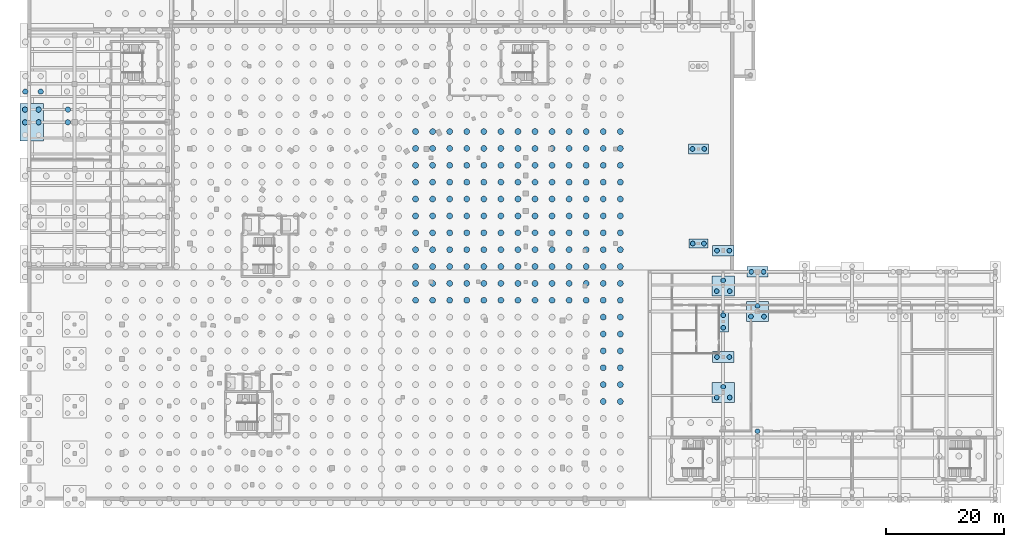
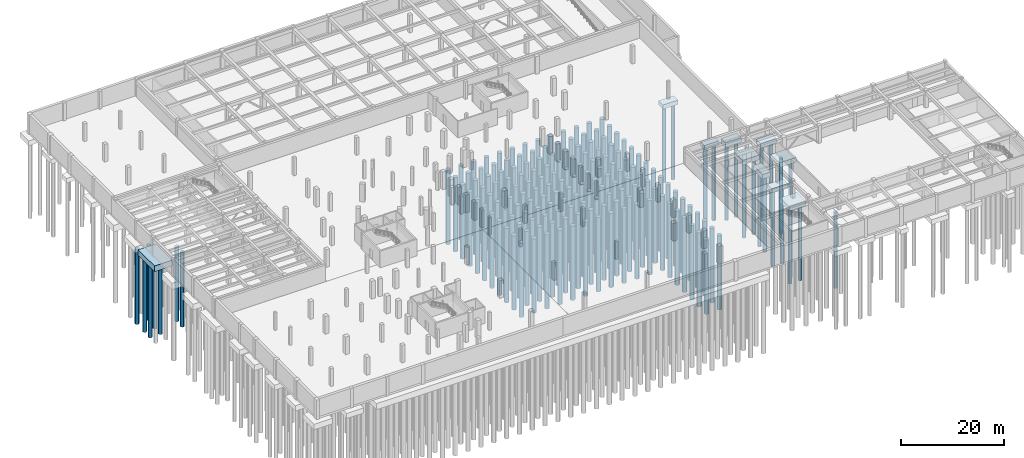
# One storey, part 4 of 36: 185 piles, 10 footings.
"""IFC4 building model written with IfcOpenShell, lengths in metres."""

from ifc_helpers import new_model, si_unit, direction, frame, origin, origin_2d, place, context, subcontext, project, spatial, rectangle, circle, extrude, material, material_profile, profile_set, type_object, element, save


model = new_model("IFC4")

# Units and contexts
model_context = context("Model", 3, precision=1e-05, world=origin(), true_north=direction((0.0, 1.0)))
body_context = subcontext(model_context, "Body", "Model", "MODEL_VIEW")
ifc_project = project(units=[si_unit("LENGTHUNIT", "METRE"), si_unit("AREAUNIT", "SQUARE_METRE"), si_unit("VOLUMEUNIT", "CUBIC_METRE"), si_unit("PLANEANGLEUNIT", "RADIAN"), si_unit("MASSUNIT", "GRAM", prefix="KILO"), si_unit("THERMODYNAMICTEMPERATUREUNIT", "KELVIN"), si_unit("POWERUNIT", "WATT")], contexts=[model_context])

# Site, building, storey
site_placement = place(None, origin())
site = spatial("IfcSite", under=ifc_project, at=site_placement, CompositionType="ELEMENT")
building_placement = place(site_placement, origin())
building = spatial("IfcBuilding", under=site, at=building_placement, Name="Solvatero Civic Police Headquarters", CompositionType="ELEMENT")
storey_placement = place(building_placement, frame((0.0, 0.0, -8.39990234375)))
storey = spatial("IfcBuildingStorey", under=building, at=storey_placement, Name="B02", CompositionType="ELEMENT", Elevation=-8.39990234375)

# Footings
ifc_material_1 = material(Name="Concrete C35/45", Category="concrete")
footing_type_1 = type_object("IfcFootingType", Name="PC-2P-180x360x110", PredefinedType="PILE_CAP", material=ifc_material_1)
footing_1_placement = place(storey_placement, frame((122.199951171875, 34.800048828125, -1.5400390625), z_axis=(0.0, 0.0, 1.0), x_axis=(1.0, 0.0, 0.0)))
element("IfcFooting", 1, at=footing_1_placement, inside=storey, type_object=footing_type_1, Name="Pile Cap FTG-R2-V1-E-F6", PredefinedType="PILE_CAP", context=body_context, shape_type="SweptSolid", body=[
    extrude(rectangle(XDim=1.800048828125, YDim=3.60009765625, at=origin_2d()), origin(), (0.0, 0.0, 1.0), 1.10009765625),
])
footing_type_2 = type_object("IfcFootingType", Name="PC-2P-320x160x100", PredefinedType="PILE_CAP", material=ifc_material_1)
footing_2_placement = place(storey_placement, frame((118.0, 48.0, -1.440185546875), z_axis=(0.0, 0.0, 1.0), x_axis=(1.0, 0.0, 0.0)))
element("IfcFooting", 2, at=footing_2_placement, inside=storey, type_object=footing_type_2, Name="Pile Cap FTG-R2-BSUB-M-X7Y1", PredefinedType="PILE_CAP", context=body_context, shape_type="SweptSolid", body=[
    extrude(rectangle(XDim=3.199951171875, YDim=1.60009765625, at=origin_2d()), origin(), (0.0, 0.0, 1.0), 1.0),
])
footing_type_3 = type_object("IfcFootingType", Name="PC-2P-340x170x105", PredefinedType="PILE_CAP", material=ifc_material_1)
footing_3_placement = place(storey_placement, frame((118.0, 64.0, -1.490234375), z_axis=(0.0, 0.0, 1.0), x_axis=(1.0, 0.0, 0.0)))
element("IfcFooting", 3, at=footing_3_placement, inside=storey, type_object=footing_type_3, Name="Pile Cap FTG-R2-BSUB-M-X7Y2", PredefinedType="PILE_CAP", context=body_context, shape_type="SweptSolid", body=[
    extrude(rectangle(XDim=3.39990234375, YDim=1.699951171875, at=origin_2d()), origin(), (0.0, 0.0, 1.0), 1.050048828125),
])
footing_type_4 = type_object("IfcFootingType", Name="PC-2P-360x180x110", PredefinedType="PILE_CAP", material=ifc_material_1)
for number, where, z_axis, x_axis, name in (
    (4, (122.199951171875, 28.800048828125, -1.5400390625), (0.0, 0.0, 1.0), (1.0, 0.0, 0.0), "Pile Cap FTG-R2-V1-E-F5"),
    (5, (122.199951171875, 46.800048828125, -1.5400390625), (0.0, 0.0, 1.0), (1.0, 0.0, 0.0), "Pile Cap FTG-R2-V1-E-F8"),
    (6, (128.0, 43.199951171875, -1.5400390625), (0.0, 0.0, 1.0), (1.0, 0.0, 0.0), "Pile Cap FTG-R2-V3-X1Y4"),
):
    element("IfcFooting", number, at=place(storey_placement, frame(where, z_axis=z_axis, x_axis=x_axis)), inside=storey, type_object=footing_type_4, Name=name, PredefinedType="PILE_CAP", context=body_context, shape_type="SweptSolid", body=[
        extrude(rectangle(XDim=3.60009765625, YDim=1.800048828125, at=origin_2d()), origin(), (0.0, 0.0, 1.0), 1.10009765625),
    ])
footing_type_5 = type_object("IfcFootingType", Name="PC-3P-380x340x115", PredefinedType="PILE_CAP", material=ifc_material_1)
for number, where, z_axis, x_axis, name in (
    (7, (122.199951171875, 22.800048828125, -1.590087890625), (0.0, 0.0, 1.0), (1.0, 0.0, 0.0), "Pile Cap FTG-R2-V1-E-F4"),
    (8, (122.199951171875, 40.800048828125, -1.590087890625), (0.0, 0.0, 1.0), (1.0, 0.0, 0.0), "Pile Cap FTG-R2-V1-E-F7"),
    (9, (128.0, 36.5, -1.590087890625), (0.0, 0.0, 1.0), (1.0, 0.0, 0.0), "Pile Cap FTG-R2-V3-X1Y3"),
):
    element("IfcFooting", number, at=place(storey_placement, frame(where, z_axis=z_axis, x_axis=x_axis)), inside=storey, type_object=footing_type_5, Name=name, PredefinedType="PILE_CAP", context=body_context, shape_type="SweptSolid", body=[
        extrude(rectangle(XDim=3.800048828125, YDim=3.39990234375, at=origin_2d()), origin(), (0.0, 0.0, 1.0), 1.14990234375),
    ])
footing_type_6 = type_object("IfcFootingType", Name="PC-6P-400x640x140", PredefinedType="PILE_CAP", material=ifc_material_1)
footing_4_placement = place(storey_placement, frame((5.25, 68.5, -1.840087890625), z_axis=(0.0, 0.0, 1.0), x_axis=(1.0, 0.0, 0.0)))
element("IfcFooting", 10, at=footing_4_placement, inside=storey, type_object=footing_type_6, Name="Pile Cap FTG-R2-V6-X1Y4", PredefinedType="PILE_CAP", context=body_context, shape_type="SweptSolid", body=[
    extrude(rectangle(XDim=4.0, YDim=6.39990234375, at=origin_2d()), origin(), (0.0, 0.0, 1.0), 1.39990234375),
])

# Piles
ifc_material_2 = material(Name="Concrete C32/40", Category="concrete")
ifc_material_profile_1 = material_profile(ifc_material_2, circle(Radius=0.5, at=origin_2d()), Name="CFA PILE D1000")
ifc_profile_set_1 = profile_set([ifc_material_profile_1], Name="Concrete C32/40")
pile_type_1 = type_object("IfcPileType", Name="PL-CFA-1000", PredefinedType="BORED", material=ifc_profile_set_1)
for number, where, z_axis, x_axis, name in (
    (11, (70.159912109375, 38.397705078125, -1.7900390625), (0.0, 0.0, -1.0), (1.0, 0.0, 0.0), "Bored Pile ARC-S00-IN-553"),
    (12, (70.159912109375, 41.25146484375, -1.7900390625), (0.0, 0.0, -1.0), (1.0, 0.0, 0.0), "Bored Pile ARC-S00-IN-554"),
    (13, (70.159912109375, 44.105224609375, -1.7900390625), (0.0, 0.0, -1.0), (1.0, 0.0, 0.0), "Bored Pile ARC-S00-IN-555"),
    (14, (70.159912109375, 46.958984375, -1.7900390625), (0.0, 0.0, -1.0), (1.0, 0.0, 0.0), "Bored Pile ARC-S00-IN-556"),
    (15, (70.159912109375, 49.81298828125, -1.7900390625), (0.0, 0.0, -1.0), (1.0, 0.0, 0.0), "Bored Pile ARC-S00-IN-557"),
    (16, (70.159912109375, 52.666748046875, -1.7900390625), (0.0, 0.0, -1.0), (1.0, 0.0, 0.0), "Bored Pile ARC-S00-IN-558"),
    (17, (70.159912109375, 55.5205078125, -1.7900390625), (0.0, 0.0, -1.0), (1.0, 0.0, 0.0), "Bored Pile ARC-S00-IN-559"),
    (18, (70.159912109375, 58.374267578125, -1.7900390625), (0.0, 0.0, -1.0), (1.0, 0.0, 0.0), "Bored Pile ARC-S00-IN-560"),
    (19, (70.159912109375, 61.22802734375, -1.7900390625), (0.0, 0.0, -1.0), (1.0, 0.0, 0.0), "Bored Pile ARC-S00-IN-561"),
    (20, (70.159912109375, 64.081787109375, -1.7900390625), (0.0, 0.0, -1.0), (1.0, 0.0, 0.0), "Bored Pile ARC-S00-IN-562"),
    (21, (70.159912109375, 66.935546875, -1.7900390625), (0.0, 0.0, -1.0), (1.0, 0.0, 0.0), "Bored Pile ARC-S00-IN-563"),
    (22, (73.046630859375, 38.397705078125, -1.7900390625), (0.0, 0.0, -1.0), (1.0, 0.0, 0.0), "Bored Pile ARC-S00-IN-583"),
    (23, (73.046630859375, 41.25146484375, -1.7900390625), (0.0, 0.0, -1.0), (1.0, 0.0, 0.0), "Bored Pile ARC-S00-IN-584"),
    (24, (73.046630859375, 44.105224609375, -1.7900390625), (0.0, 0.0, -1.0), (1.0, 0.0, 0.0), "Bored Pile ARC-S00-IN-585"),
    (25, (73.046630859375, 46.958984375, -1.7900390625), (0.0, 0.0, -1.0), (1.0, 0.0, 0.0), "Bored Pile ARC-S00-IN-586"),
    (26, (73.046630859375, 49.81298828125, -1.7900390625), (0.0, 0.0, -1.0), (1.0, 0.0, 0.0), "Bored Pile ARC-S00-IN-587"),
    (27, (73.046630859375, 52.666748046875, -1.7900390625), (0.0, 0.0, -1.0), (1.0, 0.0, 0.0), "Bored Pile ARC-S00-IN-588"),
    (28, (73.046630859375, 55.5205078125, -1.7900390625), (0.0, 0.0, -1.0), (1.0, 0.0, 0.0), "Bored Pile ARC-S00-IN-589"),
    (29, (73.046630859375, 58.374267578125, -1.7900390625), (0.0, 0.0, -1.0), (1.0, 0.0, 0.0), "Bored Pile ARC-S00-IN-590"),
    (30, (73.046630859375, 61.22802734375, -1.7900390625), (0.0, 0.0, -1.0), (1.0, 0.0, 0.0), "Bored Pile ARC-S00-IN-591"),
    (31, (73.046630859375, 64.081787109375, -1.7900390625), (0.0, 0.0, -1.0), (1.0, 0.0, 0.0), "Bored Pile ARC-S00-IN-592"),
    (32, (73.046630859375, 66.935546875, -1.7900390625), (0.0, 0.0, -1.0), (1.0, 0.0, 0.0), "Bored Pile ARC-S00-IN-593"),
    (33, (75.933349609375, 38.397705078125, -1.7900390625), (0.0, 0.0, -1.0), (1.0, 0.0, 0.0), "Bored Pile ARC-S00-IN-613"),
    (34, (75.933349609375, 41.25146484375, -1.7900390625), (0.0, 0.0, -1.0), (1.0, 0.0, 0.0), "Bored Pile ARC-S00-IN-614"),
    (35, (75.933349609375, 44.105224609375, -1.7900390625), (0.0, 0.0, -1.0), (1.0, 0.0, 0.0), "Bored Pile ARC-S00-IN-615"),
    (36, (75.933349609375, 46.958984375, -1.7900390625), (0.0, 0.0, -1.0), (1.0, 0.0, 0.0), "Bored Pile ARC-S00-IN-616"),
    (37, (75.933349609375, 49.81298828125, -1.7900390625), (0.0, 0.0, -1.0), (1.0, 0.0, 0.0), "Bored Pile ARC-S00-IN-617"),
    (38, (75.933349609375, 52.666748046875, -1.7900390625), (0.0, 0.0, -1.0), (1.0, 0.0, 0.0), "Bored Pile ARC-S00-IN-618"),
    (39, (75.933349609375, 55.5205078125, -1.7900390625), (0.0, 0.0, -1.0), (1.0, 0.0, 0.0), "Bored Pile ARC-S00-IN-619"),
    (40, (75.933349609375, 58.374267578125, -1.7900390625), (0.0, 0.0, -1.0), (1.0, 0.0, 0.0), "Bored Pile ARC-S00-IN-620"),
    (41, (75.933349609375, 61.22802734375, -1.7900390625), (0.0, 0.0, -1.0), (1.0, 0.0, 0.0), "Bored Pile ARC-S00-IN-621"),
    (42, (75.933349609375, 64.081787109375, -1.7900390625), (0.0, 0.0, -1.0), (1.0, 0.0, 0.0), "Bored Pile ARC-S00-IN-622"),
    (43, (75.933349609375, 66.935546875, -1.7900390625), (0.0, 0.0, -1.0), (1.0, 0.0, 0.0), "Bored Pile ARC-S00-IN-623"),
    (44, (78.820068359375, 38.397705078125, -1.7900390625), (0.0, 0.0, -1.0), (1.0, 0.0, 0.0), "Bored Pile ARC-S00-IN-643"),
    (45, (78.820068359375, 41.25146484375, -1.7900390625), (0.0, 0.0, -1.0), (1.0, 0.0, 0.0), "Bored Pile ARC-S00-IN-644"),
    (46, (78.820068359375, 44.105224609375, -1.7900390625), (0.0, 0.0, -1.0), (1.0, 0.0, 0.0), "Bored Pile ARC-S00-IN-645"),
    (47, (78.820068359375, 46.958984375, -1.7900390625), (0.0, 0.0, -1.0), (1.0, 0.0, 0.0), "Bored Pile ARC-S00-IN-646"),
    (48, (78.820068359375, 49.81298828125, -1.7900390625), (0.0, 0.0, -1.0), (1.0, 0.0, 0.0), "Bored Pile ARC-S00-IN-647"),
    (49, (78.820068359375, 52.666748046875, -1.7900390625), (0.0, 0.0, -1.0), (1.0, 0.0, 0.0), "Bored Pile ARC-S00-IN-648"),
    (50, (78.820068359375, 55.5205078125, -1.7900390625), (0.0, 0.0, -1.0), (1.0, 0.0, 0.0), "Bored Pile ARC-S00-IN-649"),
    (51, (78.820068359375, 58.374267578125, -1.7900390625), (0.0, 0.0, -1.0), (1.0, 0.0, 0.0), "Bored Pile ARC-S00-IN-650"),
    (52, (78.820068359375, 61.22802734375, -1.7900390625), (0.0, 0.0, -1.0), (1.0, 0.0, 0.0), "Bored Pile ARC-S00-IN-651"),
    (53, (78.820068359375, 64.081787109375, -1.7900390625), (0.0, 0.0, -1.0), (1.0, 0.0, 0.0), "Bored Pile ARC-S00-IN-652"),
    (54, (78.820068359375, 66.935546875, -1.7900390625), (0.0, 0.0, -1.0), (1.0, 0.0, 0.0), "Bored Pile ARC-S00-IN-653"),
    (55, (81.706787109375, 38.397705078125, -1.7900390625), (0.0, 0.0, -1.0), (1.0, 0.0, 0.0), "Bored Pile ARC-S00-IN-673"),
    (56, (81.706787109375, 41.25146484375, -1.7900390625), (0.0, 0.0, -1.0), (1.0, 0.0, 0.0), "Bored Pile ARC-S00-IN-674"),
    (57, (81.706787109375, 44.105224609375, -1.7900390625), (0.0, 0.0, -1.0), (1.0, 0.0, 0.0), "Bored Pile ARC-S00-IN-675"),
    (58, (81.706787109375, 46.958984375, -1.7900390625), (0.0, 0.0, -1.0), (1.0, 0.0, 0.0), "Bored Pile ARC-S00-IN-676"),
    (59, (81.706787109375, 49.81298828125, -1.7900390625), (0.0, 0.0, -1.0), (1.0, 0.0, 0.0), "Bored Pile ARC-S00-IN-677"),
    (60, (81.706787109375, 52.666748046875, -1.7900390625), (0.0, 0.0, -1.0), (1.0, 0.0, 0.0), "Bored Pile ARC-S00-IN-678"),
    (61, (81.706787109375, 55.5205078125, -1.7900390625), (0.0, 0.0, -1.0), (1.0, 0.0, 0.0), "Bored Pile ARC-S00-IN-679"),
    (62, (81.706787109375, 58.374267578125, -1.7900390625), (0.0, 0.0, -1.0), (1.0, 0.0, 0.0), "Bored Pile ARC-S00-IN-680"),
    (63, (81.706787109375, 61.22802734375, -1.7900390625), (0.0, 0.0, -1.0), (1.0, 0.0, 0.0), "Bored Pile ARC-S00-IN-681"),
    (64, (81.706787109375, 64.081787109375, -1.7900390625), (0.0, 0.0, -1.0), (1.0, 0.0, 0.0), "Bored Pile ARC-S00-IN-682"),
    (65, (81.706787109375, 66.935546875, -1.7900390625), (0.0, 0.0, -1.0), (1.0, 0.0, 0.0), "Bored Pile ARC-S00-IN-683"),
    (66, (84.59326171875, 38.397705078125, -1.7900390625), (0.0, 0.0, -1.0), (1.0, 0.0, 0.0), "Bored Pile ARC-S00-IN-703"),
    (67, (84.59326171875, 41.25146484375, -1.7900390625), (0.0, 0.0, -1.0), (1.0, 0.0, 0.0), "Bored Pile ARC-S00-IN-704"),
    (68, (84.59326171875, 44.105224609375, -1.7900390625), (0.0, 0.0, -1.0), (1.0, 0.0, 0.0), "Bored Pile ARC-S00-IN-705"),
    (69, (84.59326171875, 46.958984375, -1.7900390625), (0.0, 0.0, -1.0), (1.0, 0.0, 0.0), "Bored Pile ARC-S00-IN-706"),
    (70, (84.59326171875, 49.81298828125, -1.7900390625), (0.0, 0.0, -1.0), (1.0, 0.0, 0.0), "Bored Pile ARC-S00-IN-707"),
    (71, (84.59326171875, 52.666748046875, -1.7900390625), (0.0, 0.0, -1.0), (1.0, 0.0, 0.0), "Bored Pile ARC-S00-IN-708"),
    (72, (84.59326171875, 55.5205078125, -1.7900390625), (0.0, 0.0, -1.0), (1.0, 0.0, 0.0), "Bored Pile ARC-S00-IN-709"),
    (73, (84.59326171875, 58.374267578125, -1.7900390625), (0.0, 0.0, -1.0), (1.0, 0.0, 0.0), "Bored Pile ARC-S00-IN-710"),
    (74, (84.59326171875, 61.22802734375, -1.7900390625), (0.0, 0.0, -1.0), (1.0, 0.0, 0.0), "Bored Pile ARC-S00-IN-711"),
    (75, (84.59326171875, 64.081787109375, -1.7900390625), (0.0, 0.0, -1.0), (1.0, 0.0, 0.0), "Bored Pile ARC-S00-IN-712"),
    (76, (84.59326171875, 66.935546875, -1.7900390625), (0.0, 0.0, -1.0), (1.0, 0.0, 0.0), "Bored Pile ARC-S00-IN-713"),
    (77, (87.47998046875, 38.397705078125, -1.7900390625), (0.0, 0.0, -1.0), (1.0, 0.0, 0.0), "Bored Pile ARC-S00-IN-733"),
    (78, (87.47998046875, 41.25146484375, -1.7900390625), (0.0, 0.0, -1.0), (1.0, 0.0, 0.0), "Bored Pile ARC-S00-IN-734"),
    (79, (87.47998046875, 44.105224609375, -1.7900390625), (0.0, 0.0, -1.0), (1.0, 0.0, 0.0), "Bored Pile ARC-S00-IN-735"),
    (80, (87.47998046875, 46.958984375, -1.7900390625), (0.0, 0.0, -1.0), (1.0, 0.0, 0.0), "Bored Pile ARC-S00-IN-736"),
    (81, (87.47998046875, 49.81298828125, -1.7900390625), (0.0, 0.0, -1.0), (1.0, 0.0, 0.0), "Bored Pile ARC-S00-IN-737"),
    (82, (87.47998046875, 52.666748046875, -1.7900390625), (0.0, 0.0, -1.0), (1.0, 0.0, 0.0), "Bored Pile ARC-S00-IN-738"),
    (83, (87.47998046875, 55.5205078125, -1.7900390625), (0.0, 0.0, -1.0), (1.0, 0.0, 0.0), "Bored Pile ARC-S00-IN-739"),
    (84, (87.47998046875, 58.374267578125, -1.7900390625), (0.0, 0.0, -1.0), (1.0, 0.0, 0.0), "Bored Pile ARC-S00-IN-740"),
    (85, (87.47998046875, 61.22802734375, -1.7900390625), (0.0, 0.0, -1.0), (1.0, 0.0, 0.0), "Bored Pile ARC-S00-IN-741"),
    (86, (87.47998046875, 64.081787109375, -1.7900390625), (0.0, 0.0, -1.0), (1.0, 0.0, 0.0), "Bored Pile ARC-S00-IN-742"),
    (87, (87.47998046875, 66.935546875, -1.7900390625), (0.0, 0.0, -1.0), (1.0, 0.0, 0.0), "Bored Pile ARC-S00-IN-743"),
    (88, (90.36669921875, 38.397705078125, -1.7900390625), (0.0, 0.0, -1.0), (1.0, 0.0, 0.0), "Bored Pile ARC-S00-IN-763"),
    (89, (90.36669921875, 41.25146484375, -1.7900390625), (0.0, 0.0, -1.0), (1.0, 0.0, 0.0), "Bored Pile ARC-S00-IN-764"),
    (90, (90.36669921875, 44.105224609375, -1.7900390625), (0.0, 0.0, -1.0), (1.0, 0.0, 0.0), "Bored Pile ARC-S00-IN-765"),
    (91, (90.36669921875, 46.958984375, -1.7900390625), (0.0, 0.0, -1.0), (1.0, 0.0, 0.0), "Bored Pile ARC-S00-IN-766"),
    (92, (90.36669921875, 49.81298828125, -1.7900390625), (0.0, 0.0, -1.0), (1.0, 0.0, 0.0), "Bored Pile ARC-S00-IN-767"),
    (93, (90.36669921875, 52.666748046875, -1.7900390625), (0.0, 0.0, -1.0), (1.0, 0.0, 0.0), "Bored Pile ARC-S00-IN-768"),
    (94, (90.36669921875, 55.5205078125, -1.7900390625), (0.0, 0.0, -1.0), (1.0, 0.0, 0.0), "Bored Pile ARC-S00-IN-769"),
    (95, (90.36669921875, 58.374267578125, -1.7900390625), (0.0, 0.0, -1.0), (1.0, 0.0, 0.0), "Bored Pile ARC-S00-IN-770"),
    (96, (90.36669921875, 61.22802734375, -1.7900390625), (0.0, 0.0, -1.0), (1.0, 0.0, 0.0), "Bored Pile ARC-S00-IN-771"),
    (97, (90.36669921875, 64.081787109375, -1.7900390625), (0.0, 0.0, -1.0), (1.0, 0.0, 0.0), "Bored Pile ARC-S00-IN-772"),
    (98, (90.36669921875, 66.935546875, -1.7900390625), (0.0, 0.0, -1.0), (1.0, 0.0, 0.0), "Bored Pile ARC-S00-IN-773"),
    (99, (93.25341796875, 38.397705078125, -1.7900390625), (0.0, 0.0, -1.0), (1.0, 0.0, 0.0), "Bored Pile ARC-S00-IN-793"),
    (100, (93.25341796875, 41.25146484375, -1.7900390625), (0.0, 0.0, -1.0), (1.0, 0.0, 0.0), "Bored Pile ARC-S00-IN-794"),
    (101, (93.25341796875, 44.105224609375, -1.7900390625), (0.0, 0.0, -1.0), (1.0, 0.0, 0.0), "Bored Pile ARC-S00-IN-795"),
    (102, (93.25341796875, 46.958984375, -1.7900390625), (0.0, 0.0, -1.0), (1.0, 0.0, 0.0), "Bored Pile ARC-S00-IN-796"),
    (103, (93.25341796875, 49.81298828125, -1.7900390625), (0.0, 0.0, -1.0), (1.0, 0.0, 0.0), "Bored Pile ARC-S00-IN-797"),
    (104, (93.25341796875, 52.666748046875, -1.7900390625), (0.0, 0.0, -1.0), (1.0, 0.0, 0.0), "Bored Pile ARC-S00-IN-798"),
    (105, (93.25341796875, 55.5205078125, -1.7900390625), (0.0, 0.0, -1.0), (1.0, 0.0, 0.0), "Bored Pile ARC-S00-IN-799"),
    (106, (93.25341796875, 58.374267578125, -1.7900390625), (0.0, 0.0, -1.0), (1.0, 0.0, 0.0), "Bored Pile ARC-S00-IN-800"),
    (107, (93.25341796875, 61.22802734375, -1.7900390625), (0.0, 0.0, -1.0), (1.0, 0.0, 0.0), "Bored Pile ARC-S00-IN-801"),
    (108, (93.25341796875, 64.081787109375, -1.7900390625), (0.0, 0.0, -1.0), (1.0, 0.0, 0.0), "Bored Pile ARC-S00-IN-802"),
    (109, (93.25341796875, 66.935546875, -1.7900390625), (0.0, 0.0, -1.0), (1.0, 0.0, 0.0), "Bored Pile ARC-S00-IN-803"),
    (110, (96.139892578125, 38.397705078125, -1.7900390625), (0.0, 0.0, -1.0), (1.0, 0.0, 0.0), "Bored Pile ARC-S00-IN-823"),
    (111, (96.139892578125, 41.25146484375, -1.7900390625), (0.0, 0.0, -1.0), (1.0, 0.0, 0.0), "Bored Pile ARC-S00-IN-824"),
    (112, (96.139892578125, 44.105224609375, -1.7900390625), (0.0, 0.0, -1.0), (1.0, 0.0, 0.0), "Bored Pile ARC-S00-IN-825"),
    (113, (96.139892578125, 46.958984375, -1.7900390625), (0.0, 0.0, -1.0), (1.0, 0.0, 0.0), "Bored Pile ARC-S00-IN-826"),
    (114, (96.139892578125, 49.81298828125, -1.7900390625), (0.0, 0.0, -1.0), (1.0, 0.0, 0.0), "Bored Pile ARC-S00-IN-827"),
    (115, (96.139892578125, 52.666748046875, -1.7900390625), (0.0, 0.0, -1.0), (1.0, 0.0, 0.0), "Bored Pile ARC-S00-IN-828"),
    (116, (96.139892578125, 55.5205078125, -1.7900390625), (0.0, 0.0, -1.0), (1.0, 0.0, 0.0), "Bored Pile ARC-S00-IN-829"),
    (117, (96.139892578125, 58.374267578125, -1.7900390625), (0.0, 0.0, -1.0), (1.0, 0.0, 0.0), "Bored Pile ARC-S00-IN-830"),
    (118, (96.139892578125, 61.22802734375, -1.7900390625), (0.0, 0.0, -1.0), (1.0, 0.0, 0.0), "Bored Pile ARC-S00-IN-831"),
    (119, (96.139892578125, 64.081787109375, -1.7900390625), (0.0, 0.0, -1.0), (1.0, 0.0, 0.0), "Bored Pile ARC-S00-IN-832"),
    (120, (96.139892578125, 66.935546875, -1.7900390625), (0.0, 0.0, -1.0), (1.0, 0.0, 0.0), "Bored Pile ARC-S00-IN-833"),
    (121, (99.026611328125, 38.397705078125, -1.7900390625), (0.0, 0.0, -1.0), (1.0, 0.0, 0.0), "Bored Pile ARC-S00-IN-853"),
    (122, (99.026611328125, 41.25146484375, -1.7900390625), (0.0, 0.0, -1.0), (1.0, 0.0, 0.0), "Bored Pile ARC-S00-IN-854"),
    (123, (99.026611328125, 44.105224609375, -1.7900390625), (0.0, 0.0, -1.0), (1.0, 0.0, 0.0), "Bored Pile ARC-S00-IN-855"),
    (124, (99.026611328125, 46.958984375, -1.7900390625), (0.0, 0.0, -1.0), (1.0, 0.0, 0.0), "Bored Pile ARC-S00-IN-856"),
    (125, (99.026611328125, 49.81298828125, -1.7900390625), (0.0, 0.0, -1.0), (1.0, 0.0, 0.0), "Bored Pile ARC-S00-IN-857"),
    (126, (99.026611328125, 52.666748046875, -1.7900390625), (0.0, 0.0, -1.0), (1.0, 0.0, 0.0), "Bored Pile ARC-S00-IN-858"),
    (127, (99.026611328125, 55.5205078125, -1.7900390625), (0.0, 0.0, -1.0), (1.0, 0.0, 0.0), "Bored Pile ARC-S00-IN-859"),
    (128, (99.026611328125, 58.374267578125, -1.7900390625), (0.0, 0.0, -1.0), (1.0, 0.0, 0.0), "Bored Pile ARC-S00-IN-860"),
    (129, (99.026611328125, 61.22802734375, -1.7900390625), (0.0, 0.0, -1.0), (1.0, 0.0, 0.0), "Bored Pile ARC-S00-IN-861"),
    (130, (99.026611328125, 64.081787109375, -1.7900390625), (0.0, 0.0, -1.0), (1.0, 0.0, 0.0), "Bored Pile ARC-S00-IN-862"),
    (131, (99.026611328125, 66.935546875, -1.7900390625), (0.0, 0.0, -1.0), (1.0, 0.0, 0.0), "Bored Pile ARC-S00-IN-863"),
    (132, (101.913330078125, 21.27490234375, -1.7900390625), (0.0, 0.0, -1.0), (1.0, 0.0, 0.0), "Bored Pile ARC-S00-IN-877"),
    (133, (101.913330078125, 24.12890625, -1.7900390625), (0.0, 0.0, -1.0), (1.0, 0.0, 0.0), "Bored Pile ARC-S00-IN-878"),
    (134, (101.913330078125, 26.982421875, -1.7900390625), (0.0, 0.0, -1.0), (1.0, 0.0, 0.0), "Bored Pile ARC-S00-IN-879"),
    (135, (101.913330078125, 29.836181640625, -1.7900390625), (0.0, 0.0, -1.0), (1.0, 0.0, 0.0), "Bored Pile ARC-S00-IN-880"),
    (136, (101.913330078125, 32.690185546875, -1.7900390625), (0.0, 0.0, -1.0), (1.0, 0.0, 0.0), "Bored Pile ARC-S00-IN-881"),
    (137, (101.913330078125, 35.5439453125, -1.7900390625), (0.0, 0.0, -1.0), (1.0, 0.0, 0.0), "Bored Pile ARC-S00-IN-882"),
    (138, (101.913330078125, 38.397705078125, -1.7900390625), (0.0, 0.0, -1.0), (1.0, 0.0, 0.0), "Bored Pile ARC-S00-IN-883"),
    (139, (101.913330078125, 41.25146484375, -1.7900390625), (0.0, 0.0, -1.0), (1.0, 0.0, 0.0), "Bored Pile ARC-S00-IN-884"),
    (140, (101.913330078125, 44.105224609375, -1.7900390625), (0.0, 0.0, -1.0), (1.0, 0.0, 0.0), "Bored Pile ARC-S00-IN-885"),
    (141, (101.913330078125, 46.958984375, -1.7900390625), (0.0, 0.0, -1.0), (1.0, 0.0, 0.0), "Bored Pile ARC-S00-IN-886"),
    (142, (101.913330078125, 49.81298828125, -1.7900390625), (0.0, 0.0, -1.0), (1.0, 0.0, 0.0), "Bored Pile ARC-S00-IN-887"),
    (143, (101.913330078125, 52.666748046875, -1.7900390625), (0.0, 0.0, -1.0), (1.0, 0.0, 0.0), "Bored Pile ARC-S00-IN-888"),
    (144, (101.913330078125, 55.5205078125, -1.7900390625), (0.0, 0.0, -1.0), (1.0, 0.0, 0.0), "Bored Pile ARC-S00-IN-889"),
    (145, (101.913330078125, 58.374267578125, -1.7900390625), (0.0, 0.0, -1.0), (1.0, 0.0, 0.0), "Bored Pile ARC-S00-IN-890"),
    (146, (101.913330078125, 61.22802734375, -1.7900390625), (0.0, 0.0, -1.0), (1.0, 0.0, 0.0), "Bored Pile ARC-S00-IN-891"),
    (147, (101.913330078125, 64.081787109375, -1.7900390625), (0.0, 0.0, -1.0), (1.0, 0.0, 0.0), "Bored Pile ARC-S00-IN-892"),
    (148, (101.913330078125, 66.935546875, -1.7900390625), (0.0, 0.0, -1.0), (1.0, 0.0, 0.0), "Bored Pile ARC-S00-IN-893"),
    (149, (104.800048828125, 21.27490234375, -1.7900390625), (0.0, 0.0, -1.0), (1.0, 0.0, 0.0), "Bored Pile ARC-S00-IN-907"),
    (150, (104.800048828125, 24.12890625, -1.7900390625), (0.0, 0.0, -1.0), (1.0, 0.0, 0.0), "Bored Pile ARC-S00-IN-908"),
    (151, (104.800048828125, 26.982421875, -1.7900390625), (0.0, 0.0, -1.0), (1.0, 0.0, 0.0), "Bored Pile ARC-S00-IN-909"),
    (152, (104.800048828125, 29.836181640625, -1.7900390625), (0.0, 0.0, -1.0), (1.0, 0.0, 0.0), "Bored Pile ARC-S00-IN-910"),
    (153, (104.800048828125, 32.690185546875, -1.7900390625), (0.0, 0.0, -1.0), (1.0, 0.0, 0.0), "Bored Pile ARC-S00-IN-911"),
    (154, (104.800048828125, 35.5439453125, -1.7900390625), (0.0, 0.0, -1.0), (1.0, 0.0, 0.0), "Bored Pile ARC-S00-IN-912"),
    (155, (104.800048828125, 38.397705078125, -1.7900390625), (0.0, 0.0, -1.0), (1.0, 0.0, 0.0), "Bored Pile ARC-S00-IN-913"),
    (156, (104.800048828125, 41.25146484375, -1.7900390625), (0.0, 0.0, -1.0), (1.0, 0.0, 0.0), "Bored Pile ARC-S00-IN-914"),
    (157, (104.800048828125, 44.105224609375, -1.7900390625), (0.0, 0.0, -1.0), (1.0, 0.0, 0.0), "Bored Pile ARC-S00-IN-915"),
    (158, (104.800048828125, 46.958984375, -1.7900390625), (0.0, 0.0, -1.0), (1.0, 0.0, 0.0), "Bored Pile ARC-S00-IN-916"),
    (159, (104.800048828125, 49.81298828125, -1.7900390625), (0.0, 0.0, -1.0), (1.0, 0.0, 0.0), "Bored Pile ARC-S00-IN-917"),
    (160, (104.800048828125, 52.666748046875, -1.7900390625), (0.0, 0.0, -1.0), (1.0, 0.0, 0.0), "Bored Pile ARC-S00-IN-918"),
    (161, (104.800048828125, 55.5205078125, -1.7900390625), (0.0, 0.0, -1.0), (1.0, 0.0, 0.0), "Bored Pile ARC-S00-IN-919"),
    (162, (104.800048828125, 58.374267578125, -1.7900390625), (0.0, 0.0, -1.0), (1.0, 0.0, 0.0), "Bored Pile ARC-S00-IN-920"),
    (163, (104.800048828125, 61.22802734375, -1.7900390625), (0.0, 0.0, -1.0), (1.0, 0.0, 0.0), "Bored Pile ARC-S00-IN-921"),
    (164, (104.800048828125, 64.081787109375, -1.7900390625), (0.0, 0.0, -1.0), (1.0, 0.0, 0.0), "Bored Pile ARC-S00-IN-922"),
    (165, (104.800048828125, 66.935546875, -1.7900390625), (0.0, 0.0, -1.0), (1.0, 0.0, 0.0), "Bored Pile ARC-S00-IN-923"),
):
    element("IfcPile", number, at=place(storey_placement, frame(where, z_axis=z_axis, x_axis=x_axis)), inside=storey, type_object=pile_type_1, Name=name, PredefinedType="BORED", context=body_context, shape_type="SweptSolid", body=[
        extrude(circle(Radius=0.5, at=origin_2d()), origin(), (0.0, 0.0, 1.0), 17.659912109375),
    ])
ifc_material_profile_2 = material_profile(ifc_material_2, circle(Radius=0.39990234375, at=origin_2d()), Name="CFA PILE D800")
ifc_profile_set_2 = profile_set([ifc_material_profile_2], Name="Concrete C32/40")
pile_type_2 = type_object("IfcPileType", Name="PL-CFA-800", PredefinedType="BORED", material=ifc_profile_set_2)
for number, where, z_axis, x_axis, name in (
    (166, (117.050048828125, 48.0, -1.340087890625), (0.0, 0.0, -1.0), (1.0, 0.0, 0.0), "Bored Pile BSUB-M-X7Y1-1"),
    (167, (118.949951171875, 48.0, -1.340087890625), (0.0, 0.0, -1.0), (1.0, 0.0, 0.0), "Bored Pile BSUB-M-X7Y1-2"),
):
    element("IfcPile", number, at=place(storey_placement, frame(where, z_axis=z_axis, x_axis=x_axis)), inside=storey, type_object=pile_type_2, Name=name, PredefinedType="BORED", context=body_context, shape_type="SweptSolid", body=[
        extrude(circle(Radius=0.39990234375, at=origin_2d()), origin(), (0.0, 0.0, 1.0), 18.110107421875),
    ])
for number, where, z_axis, x_axis, name in (
    (168, (117.0, 64.0, -1.39013671875), (0.0, 0.0, -1.0), (1.0, 0.0, 0.0), "Bored Pile BSUB-M-X7Y2-1"),
    (169, (119.0, 64.0, -1.39013671875), (0.0, 0.0, -1.0), (1.0, 0.0, 0.0), "Bored Pile BSUB-M-X7Y2-2"),
):
    element("IfcPile", number, at=place(storey_placement, frame(where, z_axis=z_axis, x_axis=x_axis)), inside=storey, type_object=pile_type_2, Name=name, PredefinedType="BORED", context=body_context, shape_type="SweptSolid", body=[
        extrude(circle(Radius=0.39990234375, at=origin_2d()), origin(), (0.0, 0.0, 1.0), 18.06005859375),
    ])
for number, where, z_axis, x_axis, name in (
    (170, (121.10009765625, 21.949951171875, -1.489990234375), (0.0, 0.0, -1.0), (1.0, 0.0, 0.0), "Bored Pile V1-E-F4-1"),
    (171, (123.300048828125, 21.949951171875, -1.489990234375), (0.0, 0.0, -1.0), (1.0, 0.0, 0.0), "Bored Pile V1-E-F4-2"),
    (172, (122.199951171875, 23.75, -1.489990234375), (0.0, 0.0, -1.0), (1.0, 0.0, 0.0), "Bored Pile V1-E-F4-3"),
):
    element("IfcPile", number, at=place(storey_placement, frame(where, z_axis=z_axis, x_axis=x_axis)), inside=storey, type_object=pile_type_2, Name=name, PredefinedType="BORED", context=body_context, shape_type="SweptSolid", body=[
        extrude(circle(Radius=0.39990234375, at=origin_2d()), origin(), (0.0, 0.0, 1.0), 17.9599609375),
    ])
for number, where, z_axis, x_axis, name in (
    (173, (121.14990234375, 28.800048828125, -1.440185546875), (0.0, 0.0, -1.0), (1.0, 0.0, 0.0), "Bored Pile V1-E-F5-1"),
    (174, (123.25, 28.800048828125, -1.440185546875), (0.0, 0.0, -1.0), (1.0, 0.0, 0.0), "Bored Pile V1-E-F5-2"),
    (175, (122.199951171875, 33.75, -1.440185546875), (0.0, 0.0, -1.0), (1.0, 0.0, 0.0), "Bored Pile V1-E-F6-1"),
    (176, (122.199951171875, 35.85009765625, -1.440185546875), (0.0, 0.0, -1.0), (1.0, 0.0, 0.0), "Bored Pile V1-E-F6-2"),
):
    element("IfcPile", number, at=place(storey_placement, frame(where, z_axis=z_axis, x_axis=x_axis)), inside=storey, type_object=pile_type_2, Name=name, PredefinedType="BORED", context=body_context, shape_type="SweptSolid", body=[
        extrude(circle(Radius=0.39990234375, at=origin_2d()), origin(), (0.0, 0.0, 1.0), 18.010009765625),
    ])
for number, where, z_axis, x_axis, name in (
    (177, (121.10009765625, 39.949951171875, -1.489990234375), (0.0, 0.0, -1.0), (1.0, 0.0, 0.0), "Bored Pile V1-E-F7-1"),
    (178, (123.300048828125, 39.949951171875, -1.489990234375), (0.0, 0.0, -1.0), (1.0, 0.0, 0.0), "Bored Pile V1-E-F7-2"),
    (179, (122.199951171875, 41.75, -1.489990234375), (0.0, 0.0, -1.0), (1.0, 0.0, 0.0), "Bored Pile V1-E-F7-3"),
):
    element("IfcPile", number, at=place(storey_placement, frame(where, z_axis=z_axis, x_axis=x_axis)), inside=storey, type_object=pile_type_2, Name=name, PredefinedType="BORED", context=body_context, shape_type="SweptSolid", body=[
        extrude(circle(Radius=0.39990234375, at=origin_2d()), origin(), (0.0, 0.0, 1.0), 17.9599609375),
    ])
for number, where, z_axis, x_axis, name in (
    (180, (121.14990234375, 46.800048828125, -1.440185546875), (0.0, 0.0, -1.0), (1.0, 0.0, 0.0), "Bored Pile V1-E-F8-1"),
    (181, (123.25, 46.800048828125, -1.440185546875), (0.0, 0.0, -1.0), (1.0, 0.0, 0.0), "Bored Pile V1-E-F8-2"),
    (182, (128.0, 16.25, -1.440185546875), (0.0, 0.0, -1.0), (1.0, 0.0, 0.0), "Bored Pile V3-X1Y2-2"),
):
    element("IfcPile", number, at=place(storey_placement, frame(where, z_axis=z_axis, x_axis=x_axis)), inside=storey, type_object=pile_type_2, Name=name, PredefinedType="BORED", context=body_context, shape_type="SweptSolid", body=[
        extrude(circle(Radius=0.39990234375, at=origin_2d()), origin(), (0.0, 0.0, 1.0), 18.010009765625),
    ])
for number, where, z_axis, x_axis, name in (
    (183, (126.89990234375, 35.64990234375, -1.489990234375), (0.0, 0.0, -1.0), (1.0, 0.0, 0.0), "Bored Pile V3-X1Y3-1"),
    (184, (129.10009765625, 35.64990234375, -1.489990234375), (0.0, 0.0, -1.0), (1.0, 0.0, 0.0), "Bored Pile V3-X1Y3-2"),
    (185, (128.0, 37.449951171875, -1.489990234375), (0.0, 0.0, -1.0), (1.0, 0.0, 0.0), "Bored Pile V3-X1Y3-3"),
):
    element("IfcPile", number, at=place(storey_placement, frame(where, z_axis=z_axis, x_axis=x_axis)), inside=storey, type_object=pile_type_2, Name=name, PredefinedType="BORED", context=body_context, shape_type="SweptSolid", body=[
        extrude(circle(Radius=0.39990234375, at=origin_2d()), origin(), (0.0, 0.0, 1.0), 17.9599609375),
    ])
for number, where, z_axis, x_axis, name in (
    (186, (126.949951171875, 43.199951171875, -1.440185546875), (0.0, 0.0, -1.0), (1.0, 0.0, 0.0), "Bored Pile V3-X1Y4-1"),
    (187, (129.050048828125, 43.199951171875, -1.440185546875), (0.0, 0.0, -1.0), (1.0, 0.0, 0.0), "Bored Pile V3-X1Y4-2"),
):
    element("IfcPile", number, at=place(storey_placement, frame(where, z_axis=z_axis, x_axis=x_axis)), inside=storey, type_object=pile_type_2, Name=name, PredefinedType="BORED", context=body_context, shape_type="SweptSolid", body=[
        extrude(circle(Radius=0.39990234375, at=origin_2d()), origin(), (0.0, 0.0, 1.0), 18.010009765625),
    ])
ifc_material_profile_3 = material_profile(ifc_material_2, circle(Radius=0.449951171875, at=origin_2d()), Name="CFA PILE D900")
ifc_profile_set_3 = profile_set([ifc_material_profile_3], Name="Concrete C32/40")
pile_type_3 = type_object("IfcPileType", Name="PL-CFA-900", PredefinedType="BORED", material=ifc_profile_set_3)
for number, where, z_axis, x_axis, name in (
    (188, (4.10009765625, 68.5, -1.739990234375), (0.0, 0.0, -1.0), (1.0, 0.0, 0.0), "Bored Pile V6-X1Y4-2"),
    (189, (4.10009765625, 70.64990234375, -1.739990234375), (0.0, 0.0, -1.0), (1.0, 0.0, 0.0), "Bored Pile V6-X1Y4-3"),
    (190, (6.39990234375, 68.5, -1.739990234375), (0.0, 0.0, -1.0), (1.0, 0.0, 0.0), "Bored Pile V6-X1Y4-5"),
    (191, (6.39990234375, 70.64990234375, -1.739990234375), (0.0, 0.0, -1.0), (1.0, 0.0, 0.0), "Bored Pile V6-X1Y4-6"),
):
    element("IfcPile", number, at=place(storey_placement, frame(where, z_axis=z_axis, x_axis=x_axis)), inside=storey, type_object=pile_type_3, Name=name, PredefinedType="BORED", context=body_context, shape_type="SweptSolid", body=[
        extrude(circle(Radius=0.449951171875, at=origin_2d()), origin(), (0.0, 0.0, 1.0), 17.7099609375),
    ])
for number, where, z_axis, x_axis, name in (
    (192, (4.14990234375, 73.699951171875, -1.690185546875), (0.0, 0.0, -1.0), (1.0, 0.0, 0.0), "Bored Pile V6-X1Y5-1"),
    (193, (6.75, 73.699951171875, -1.690185546875), (0.0, 0.0, -1.0), (1.0, 0.0, 0.0), "Bored Pile V6-X1Y5-2"),
):
    element("IfcPile", number, at=place(storey_placement, frame(where, z_axis=z_axis, x_axis=x_axis)), inside=storey, type_object=pile_type_3, Name=name, PredefinedType="BORED", context=body_context, shape_type="SweptSolid", body=[
        extrude(circle(Radius=0.449951171875, at=origin_2d()), origin(), (0.0, 0.0, 1.0), 17.760009765625),
    ])
for number, where, z_axis, x_axis, name in (
    (194, (11.35009765625, 68.5, -1.739990234375), (0.0, 0.0, -1.0), (1.0, 0.0, 0.0), "Bored Pile V6-X2Y4-2"),
    (195, (11.35009765625, 70.64990234375, -1.739990234375), (0.0, 0.0, -1.0), (1.0, 0.0, 0.0), "Bored Pile V6-X2Y4-3"),
):
    element("IfcPile", number, at=place(storey_placement, frame(where, z_axis=z_axis, x_axis=x_axis)), inside=storey, type_object=pile_type_3, Name=name, PredefinedType="BORED", context=body_context, shape_type="SweptSolid", body=[
        extrude(circle(Radius=0.449951171875, at=origin_2d()), origin(), (0.0, 0.0, 1.0), 17.7099609375),
    ])

save(model, "model.ifc")
